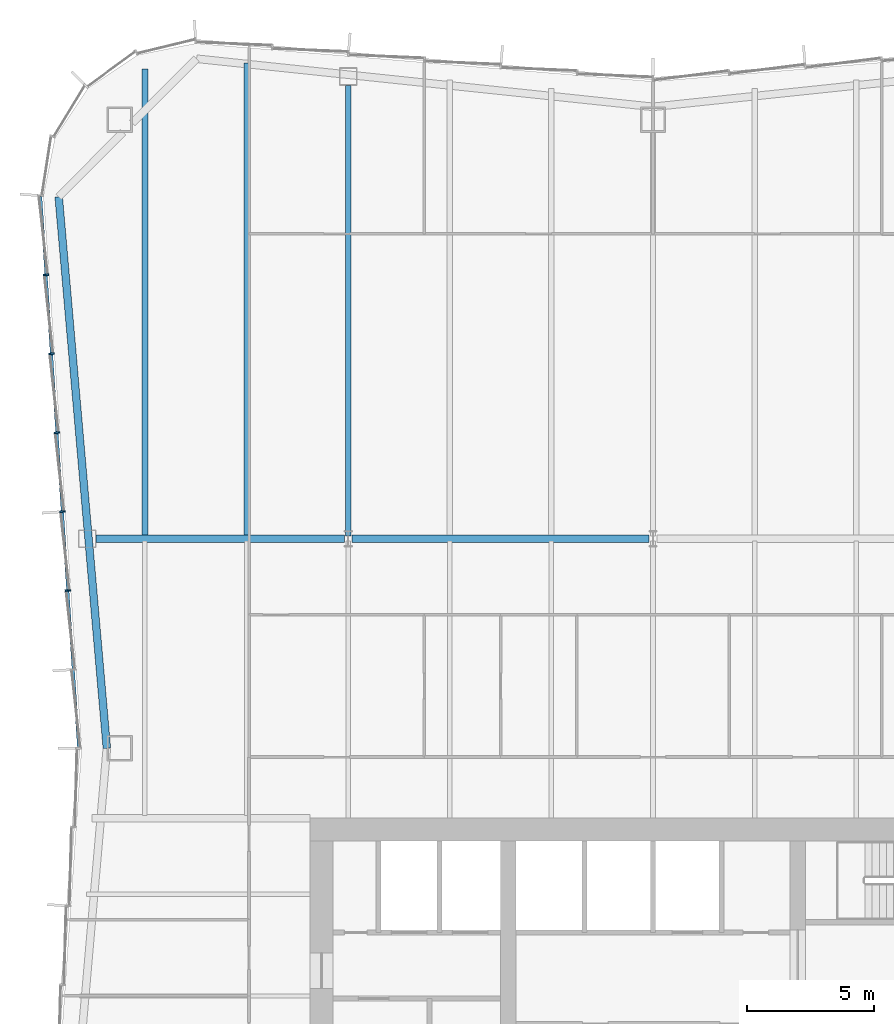
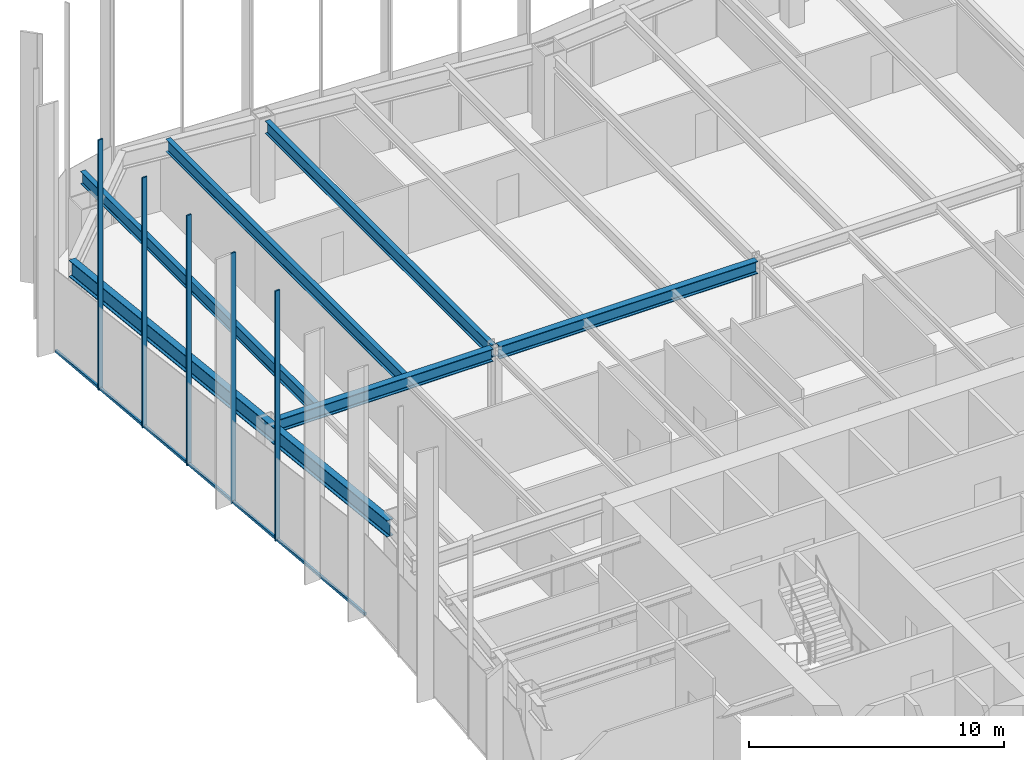
# One storey, part 5 of 13: 6 beams, 6 members, 1 element without a shape of its own.
"""IFC4 building model written with IfcOpenShell, lengths in metres."""

from ifc_helpers import new_model, si_unit, direction, frame, origin, origin_2d, place, context, subcontext, project, spatial, rectangle, i_section, extrude, material, material_profile, profile_set, type_object, element, aggregate, save


model = new_model("IFC4")

# Units and contexts
model_context = context("Model", 3, precision=1e-05, world=origin(), true_north=direction((0.0, 1.0)))
body_context = subcontext(model_context, "Body", "Model", "MODEL_VIEW")
ifc_project = project(units=[si_unit("LENGTHUNIT", "METRE"), si_unit("AREAUNIT", "SQUARE_METRE"), si_unit("VOLUMEUNIT", "CUBIC_METRE"), si_unit("PLANEANGLEUNIT", "RADIAN"), si_unit("MASSUNIT", "GRAM", prefix="KILO")], contexts=[model_context])

# Site, building, storey
site_placement = place(None, origin())
site = spatial("IfcSite", under=ifc_project, at=site_placement, CompositionType="ELEMENT")
building_placement = place(site_placement, origin())
building = spatial("IfcBuilding", under=site, at=building_placement, Name="Verdant Reach Tower", CompositionType="ELEMENT")
storey_placement = place(building_placement, frame((0.0, 0.0, 194.0)))
storey = spatial("IfcBuildingStorey", under=building, at=storey_placement, Name="L44", CompositionType="ELEMENT", Elevation=194.0)

# Curtain wall, members
ifc_material_1 = material(Name="Anodised aluminium", Category="aluminium")
curtain_wall_type = type_object("IfcCurtainWallType", Name="EN-CW SYSTEM Z3", PredefinedType="NOTDEFINED", material=ifc_material_1)
curtain_wall_placement = place(storey_placement, origin())
curtain_wall = element("IfcCurtainWall", 1, at=curtain_wall_placement, inside=storey, type_object=curtain_wall_type, Name="Curtain wall west, L44", PredefinedType="NOTDEFINED")
ifc_material_profile_1 = material_profile(ifc_material_1, rectangle(XDim=0.218017578125, YDim=0.06591796875, at=origin_2d()), Name="Mullion 66x218")
ifc_profile_set_1 = profile_set([ifc_material_profile_1], Name="Anodised aluminium")
member_type_1 = type_object("IfcMemberType", Name="EN-MULLION Z3", PredefinedType="MULLION", material=ifc_profile_set_1)
member_1_placement = place(storey_placement, frame((-23.89453125, 59.88525390625, -0.35009765625), z_axis=(0.0, 0.0, 1.0), x_axis=(-0.997630328423, -0.068802091615, 0.0)))
member_1 = element("IfcMember", 2, at=member_1_placement, type_object=member_type_1, Name="Mullion west face part 1 2, L44", PredefinedType="MULLION", context=body_context, shape_type="SweptSolid", body=[
    extrude(rectangle(XDim=0.218017578125, YDim=0.06591796875, at=origin_2d()), origin(), (0.0, 0.0, 1.0), 12.0),
])
member_2_placement = place(storey_placement, frame((-23.68017578125, 56.7783203125, -0.35009765625), z_axis=(0.0, 0.0, 1.0), x_axis=(-0.997630328423, -0.068802091615, 0.0)))
member_2 = element("IfcMember", 3, at=member_2_placement, type_object=member_type_1, Name="Mullion west face part 1 3, L44", PredefinedType="MULLION", context=body_context, shape_type="SweptSolid", body=[
    extrude(rectangle(XDim=0.218017578125, YDim=0.06591796875, at=origin_2d()), origin(), (0.0, 0.0, 1.0), 12.0),
])
member_3_placement = place(storey_placement, frame((-23.4658203125, 53.671142578125, -0.35009765625), z_axis=(0.0, 0.0, 1.0), x_axis=(-0.997630328423, -0.068802091615, 0.0)))
member_3 = element("IfcMember", 4, at=member_3_placement, type_object=member_type_1, Name="Mullion west face part 1 4, L44", PredefinedType="MULLION", context=body_context, shape_type="SweptSolid", body=[
    extrude(rectangle(XDim=0.218017578125, YDim=0.06591796875, at=origin_2d()), origin(), (0.0, 0.0, 1.0), 12.0),
])
member_4_placement = place(storey_placement, frame((-23.251708984375, 50.56396484375, -0.35009765625), z_axis=(0.0, 0.0, 1.0), x_axis=(-0.997630328423, -0.068802091615, 0.0)))
member_4 = element("IfcMember", 5, at=member_4_placement, type_object=member_type_1, Name="Mullion west face part 1 5, L44", PredefinedType="MULLION", context=body_context, shape_type="SweptSolid", body=[
    extrude(rectangle(XDim=0.218017578125, YDim=0.06591796875, at=origin_2d()), origin(), (0.0, 0.0, 1.0), 12.0),
])
member_5_placement = place(storey_placement, frame((-23.037353515625, 47.456787109375, -0.35009765625), z_axis=(0.0, 0.0, 1.0), x_axis=(-0.997630328423, -0.068802091615, 0.0)))
member_5 = element("IfcMember", 6, at=member_5_placement, type_object=member_type_1, Name="Mullion west face part 1 6, L44", PredefinedType="MULLION", context=body_context, shape_type="SweptSolid", body=[
    extrude(rectangle(XDim=0.218017578125, YDim=0.06591796875, at=origin_2d()), origin(), (0.0, 0.0, 1.0), 12.0),
])
ifc_material_profile_2 = material_profile(ifc_material_1, rectangle(XDim=0.10009765625, YDim=0.1259765625, at=origin_2d()), Name="Transom 126x100")
ifc_profile_set_2 = profile_set([ifc_material_profile_2], Name="Anodised aluminium")
member_type_2 = type_object("IfcMemberType", Name="EN-TRANSOM Z3", PredefinedType="USERDEFINED", material=ifc_profile_set_2)
member_6_placement = place(storey_placement, frame((-24.1064453125, 62.97412109375, -0.287109375), z_axis=(0.068764326054, -0.997632932226, 0.0), x_axis=(0.997632932226, 0.068764326054, 0.0)))
member_6 = element("IfcMember", 7, at=member_6_placement, type_object=member_type_2, Name="Transom west face part 1 1.1, L44", ObjectType="TRANSOM", PredefinedType="USERDEFINED", context=body_context, shape_type="SweptSolid", body=[
    extrude(rectangle(XDim=0.10009765625, YDim=0.1259765625, at=origin_2d()), origin(), (0.0, 0.0, 1.0), 21.74267578125),
])
aggregate(curtain_wall, [member_1, member_2, member_3, member_4, member_5, member_6])

# Beams
ifc_material_2 = material(Name="Steel S355", Category="steel")
ifc_material_profile_3 = material_profile(ifc_material_2, i_section(OverallWidth=0.300048828125, OverallDepth=0.60009765625, WebThickness=0.015380859375, FlangeThickness=0.030029296875, FilletRadius=0.027099609375, at=origin_2d()), Name="HEB 600")
ifc_profile_set_3 = profile_set([ifc_material_profile_3], Name="Steel S355")
beam_type_1 = type_object("IfcBeamType", Name="ST-BEAM-HEB600", PredefinedType="BEAM", material=ifc_profile_set_3)
beam_1_placement = place(storey_placement, frame((-21.9189453125, 49.5, 3.570068359375), z_axis=(1.0, 0.0, 0.0), x_axis=(0.0, 1.0, 0.0)))
element("IfcBeam", 8, at=beam_1_placement, inside=storey, type_object=beam_type_1, Name="Row girder, L44", PredefinedType="BEAM", context=body_context, shape_type="SweptSolid", body=[
    extrude(i_section(OverallWidth=0.300048828125, OverallDepth=0.60009765625, WebThickness=0.015380859375, FlangeThickness=0.030029296875, FilletRadius=0.027099609375, at=origin_2d()), origin(), (0.0, 0.0, 1.0), 9.766357421875),
])
beam_2_placement = place(storey_placement, frame((-11.847412109375, 49.5, 3.570068359375), z_axis=(1.0, 0.0, 0.0), x_axis=(0.0, 1.0, 0.0)))
element("IfcBeam", 9, at=beam_2_placement, inside=storey, type_object=beam_type_1, Name="Row girder, L44", PredefinedType="BEAM", context=body_context, shape_type="SweptSolid", body=[
    extrude(i_section(OverallWidth=0.300048828125, OverallDepth=0.60009765625, WebThickness=0.015380859375, FlangeThickness=0.030029296875, FilletRadius=0.027099609375, at=origin_2d()), origin(), (0.0, 0.0, 1.0), 11.69482421875),
])
ifc_material_profile_4 = material_profile(ifc_material_2, i_section(OverallWidth=0.219970703125, OverallDepth=0.60009765625, WebThickness=0.011962890625, FlangeThickness=0.01904296875, FilletRadius=0.02392578125, at=origin_2d()), Name="IPE 600")
ifc_profile_set_4 = profile_set([ifc_material_profile_4], Name="Steel S355")
beam_type_2 = type_object("IfcBeamType", Name="ST-JOIST-IPE600", PredefinedType="JOIST", material=ifc_profile_set_4)
beam_3_placement = place(storey_placement, frame((-20.0, 49.60009765625, 3.570068359375), z_axis=(0.0, 1.0, 0.0), x_axis=(-1.0, 0.0, 0.0)))
element("IfcBeam", 10, at=beam_3_placement, inside=storey, type_object=beam_type_2, Name="Floor joist, L44", PredefinedType="JOIST", context=body_context, shape_type="SweptSolid", body=[
    extrude(i_section(OverallWidth=0.219970703125, OverallDepth=0.60009765625, WebThickness=0.011962890625, FlangeThickness=0.01904296875, FilletRadius=0.02392578125, at=origin_2d()), origin(), (0.0, 0.0, 1.0), 18.390380859375),
])
beam_4_placement = place(storey_placement, frame((-16.0, 49.60009765625, 3.570068359375), z_axis=(0.0, 1.0, 0.0), x_axis=(-1.0, 0.0, 0.0)))
element("IfcBeam", 11, at=beam_4_placement, inside=storey, type_object=beam_type_2, Name="Floor joist, L44", PredefinedType="JOIST", context=body_context, shape_type="SweptSolid", body=[
    extrude(i_section(OverallWidth=0.219970703125, OverallDepth=0.60009765625, WebThickness=0.011962890625, FlangeThickness=0.01904296875, FilletRadius=0.02392578125, at=origin_2d()), origin(), (0.0, 0.0, 1.0), 18.631103515625),
])
beam_5_placement = place(storey_placement, frame((-12.0, 49.60009765625, 3.570068359375), z_axis=(0.0, 1.0, 0.0), x_axis=(-1.0, 0.0, 0.0)))
element("IfcBeam", 12, at=beam_5_placement, inside=storey, type_object=beam_type_2, Name="Floor joist, L44", PredefinedType="JOIST", context=body_context, shape_type="SweptSolid", body=[
    extrude(i_section(OverallWidth=0.219970703125, OverallDepth=0.60009765625, WebThickness=0.011962890625, FlangeThickness=0.01904296875, FilletRadius=0.02392578125, at=origin_2d()), origin(), (0.0, 0.0, 1.0), 17.75),
])
ifc_material_profile_5 = material_profile(ifc_material_2, i_section(OverallWidth=0.300048828125, OverallDepth=0.800048828125, WebThickness=0.017578125, FlangeThickness=0.032958984375, FilletRadius=0.030029296875, at=origin_2d()), Name="HEB 800")
ifc_profile_set_5 = profile_set([ifc_material_profile_5], Name="Steel S355")
beam_type_3 = type_object("IfcBeamType", Name="ST-SPANDREL-HEB800", PredefinedType="SPANDREL", material=ifc_profile_set_5)
beam_6_placement = place(storey_placement, frame((-21.5, 41.25, 3.469970703125), z_axis=(-0.086996024331, 0.996208658741, 0.0), x_axis=(-0.996208658741, -0.086996024331, 0.0)))
element("IfcBeam", 13, at=beam_6_placement, inside=storey, type_object=beam_type_3, Name="Edge beam, L44", PredefinedType="SPANDREL", context=body_context, shape_type="SweptSolid", body=[
    extrude(i_section(OverallWidth=0.300048828125, OverallDepth=0.800048828125, WebThickness=0.017578125, FlangeThickness=0.032958984375, FilletRadius=0.030029296875, at=origin_2d()), origin(), (0.0, 0.0, 1.0), 21.7939453125),
])

save(model, "model.ifc")
